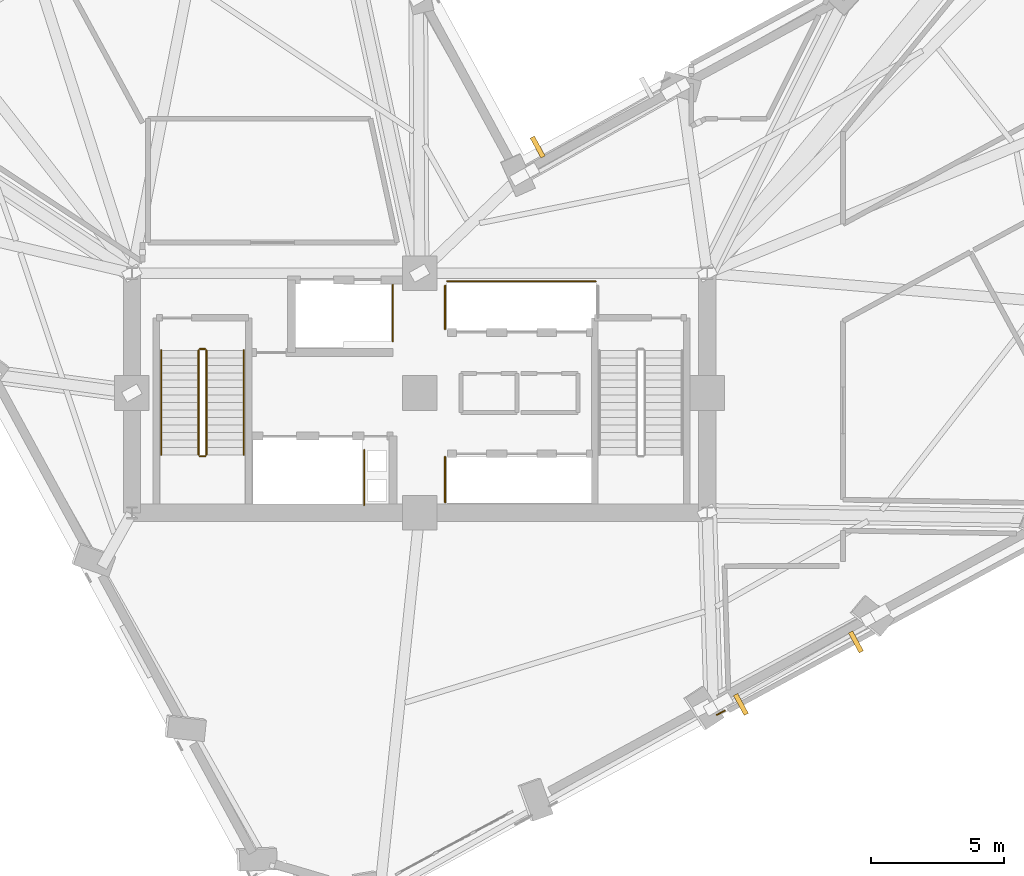
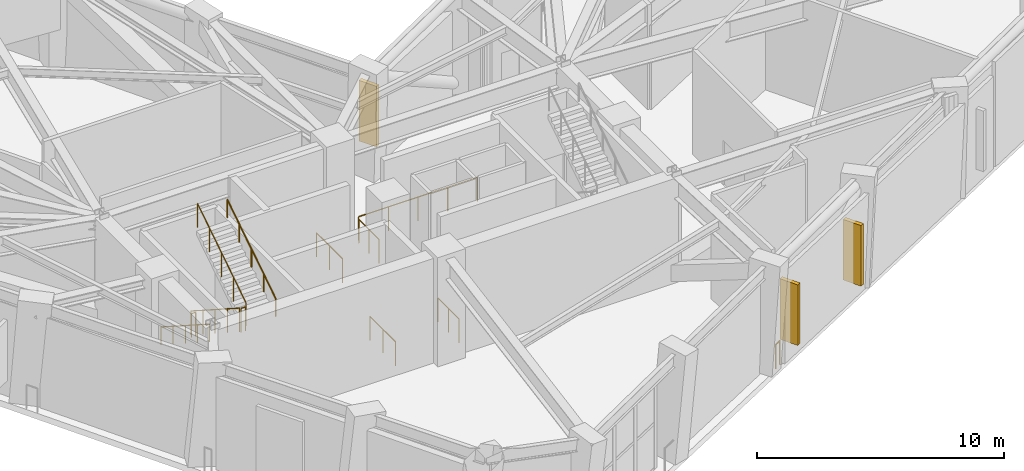
# One storey, part 12 of 15: 12 railings, 3 shading devices.
"""IFC4 building model written with IfcOpenShell, lengths in metres."""

from ifc_helpers import new_model, si_unit, direction, frame, origin, origin_2d, place, context, subcontext, project, spatial, rectangle, circle, extrude, material, layer, layer_set, type_object, element, save


model = new_model("IFC4")

# Units and contexts
model_context = context("Model", 3, precision=1e-05, world=origin(), true_north=direction((0.0, 1.0)))
body_context = subcontext(model_context, "Body", "Model", "MODEL_VIEW")
ifc_project = project(units=[si_unit("LENGTHUNIT", "METRE"), si_unit("AREAUNIT", "SQUARE_METRE"), si_unit("VOLUMEUNIT", "CUBIC_METRE"), si_unit("PLANEANGLEUNIT", "RADIAN"), si_unit("MASSUNIT", "GRAM", prefix="KILO")], contexts=[model_context])

# Site, building, storey
site_placement = place(None, origin())
site = spatial("IfcSite", under=ifc_project, at=site_placement, CompositionType="ELEMENT")
building_placement = place(site_placement, origin())
building = spatial("IfcBuilding", under=site, at=building_placement, Name="Gaonmaruhae Medical Tower", CompositionType="ELEMENT")
storey_placement = place(building_placement, frame((0.0, 0.0, 144.39990234375)))
storey = spatial("IfcBuildingStorey", under=building, at=storey_placement, Name="L34", CompositionType="ELEMENT", Elevation=144.39990234375)

# Railings
ifc_material_1 = material(Name="Stainless steel 316L and laminated safety glass", Category="steel")
ifc_layer = layer(ifc_material_1, 0.080078125)
ifc_layer_set = layer_set([ifc_layer], Name="Stainless steel 316L and laminated safety glass")
railing_type_1 = type_object("IfcRailingType", Name="GD-120 Outdoor Terrace Safety Glass & Steel Balustrade", PredefinedType="BALUSTRADE", material=ifc_layer_set)
railing_1_placement = place(storey_placement, frame((35.961181640625, 0.2177734375, 0.0)))
element("IfcRailing", 1, at=railing_1_placement, inside=storey, type_object=railing_type_1, Name="L34 Perimeter Slab Edge Safety Balustrade 04", PredefinedType="BALUSTRADE", context=body_context, shape_type="SweptSolid", body=[
    extrude(circle(Radius=0.02392578125, at=origin_2d()), frame((0.0, 0.0, 1.17578125), z_axis=(0.878965427128, 0.476885497697, 0.0), x_axis=(-0.476885497697, 0.878965427128, 0.0)), (0.0, 0.0, 1.0), 0.33935546875),
    extrude(circle(Radius=0.02099609375, at=origin_2d()), origin(), (0.0, 0.0, 1.0), 1.15185546875),
    extrude(circle(Radius=0.02099609375, at=origin_2d()), frame((0.29833984375, 0.161865234375, 0.0)), (0.0, 0.0, 1.0), 1.15185546875),
])
ifc_material_2 = material(Name="Stainless steel 304 handrail", Category="steel")
railing_type_2 = type_object("IfcRailingType", Name="HR-092 Continuous Stainless Steel Stair Handrail", PredefinedType="HANDRAIL", material=ifc_material_2)
railing_2_placement = place(storey_placement, frame((15.10009765625, 13.89990234375, 0.18017578125)))
element("IfcRailing", 2, at=railing_2_placement, inside=storey, type_object=railing_type_2, Name="L34 ST-01 stair handrail 1", PredefinedType="HANDRAIL", context=body_context, shape_type="SweptSolid", body=[
    extrude(circle(Radius=0.02392578125, at=origin_2d()), frame((0.0, 0.0, 0.8759765625), z_axis=(0.0, -0.841171666519, 0.540768182723), x_axis=(1.0, 0.0, 0.0)), (0.0, 0.0, 1.0), 4.66015625),
    extrude(circle(Radius=0.02099609375, at=origin_2d()), origin(), (0.0, 0.0, 1.0), 0.851806640625),
    extrude(circle(Radius=0.02099609375, at=origin_2d()), frame((0.0, -0.97998046875, 0.6298828125)), (0.0, 0.0, 1.0), 0.851806640625),
    extrude(circle(Radius=0.02099609375, at=origin_2d()), frame((0.0, -1.9599609375, 1.260009765625)), (0.0, 0.0, 1.0), 0.851806640625),
    extrude(circle(Radius=0.02099609375, at=origin_2d()), frame((0.0, -2.93994140625, 1.89013671875)), (0.0, 0.0, 1.0), 0.851806640625),
    extrude(circle(Radius=0.02099609375, at=origin_2d()), frame((0.0, -3.919921875, 2.52001953125)), (0.0, 0.0, 1.0), 0.851806640625),
])
railing_3_placement = place(storey_placement, frame((18.199951171875, 9.97998046875, 2.880126953125)))
element("IfcRailing", 3, at=railing_3_placement, inside=storey, type_object=railing_type_2, Name="L34 ST-01 stair handrail 2", PredefinedType="HANDRAIL", context=body_context, shape_type="SweptSolid", body=[
    extrude(circle(Radius=0.02392578125, at=origin_2d()), frame((0.0, 0.0, 0.8759765625), z_axis=(0.0, 0.841171666519, 0.540768182723), x_axis=(-1.0, 0.0, 0.0)), (0.0, 0.0, 1.0), 4.66015625),
    extrude(circle(Radius=0.02099609375, at=origin_2d()), origin(), (0.0, 0.0, 1.0), 0.851806640625),
    extrude(circle(Radius=0.02099609375, at=origin_2d()), frame((0.0, 0.97998046875, 0.6298828125)), (0.0, 0.0, 1.0), 0.851806640625),
    extrude(circle(Radius=0.02099609375, at=origin_2d()), frame((0.0, 1.9599609375, 1.260009765625)), (0.0, 0.0, 1.0), 0.851806640625),
    extrude(circle(Radius=0.02099609375, at=origin_2d()), frame((0.0, 2.93994140625, 1.89013671875)), (0.0, 0.0, 1.0), 0.851806640625),
    extrude(circle(Radius=0.02099609375, at=origin_2d()), frame((0.0, 3.919921875, 2.52001953125)), (0.0, 0.0, 1.0), 0.851806640625),
])

# Shading devices
ifc_material_3 = material(Name="Pigmented coral precast concrete C45/55", Category="concrete")
shading_device_type = type_object("IfcShadingDeviceType", Name="SD-FIN1 Tower Vertical Coral Precast Shading Fin", PredefinedType="USERDEFINED", material=ifc_material_3)
for number, where, z_axis, x_axis, name in (
    (4, (41.18115234375, 2.955078125, 0.78271484375), (0.0, 0.0, 1.0), (-0.878817112662, -0.47715876026, 0.0), "L34 Vertical Coral Precast Shading Fin S03"),
    (5, (36.8623046875, 0.610107421875, 0.78271484375), (0.0, 0.0, 1.0), (-0.878817112662, -0.47715876026, 0.0), "L34 Vertical Coral Precast Shading Fin S03B"),
    (6, (29.233154296875, 21.535888671875, 0.58251953125), (0.0, 0.0, 1.0), (0.878817112662, 0.47715876026, 0.0), "L34 Vertical Coral Precast Shading Fin EN03"),
):
    element("IfcShadingDevice", number, at=place(storey_placement, frame(where, z_axis=z_axis, x_axis=x_axis)), inside=storey, type_object=shading_device_type, Name=name, ObjectType="FIN", PredefinedType="USERDEFINED", context=body_context, shape_type="SweptSolid", body=[
        extrude(rectangle(XDim=0.179931640625, YDim=0.85009765625, at=origin_2d()), origin(), (0.0, 0.0, 1.0), 3.0),
    ])

# Railings
ifc_material_4 = material(Name="Stainless steel 304 balustrade", Category="steel")
railing_type_3 = type_object("IfcRailingType", Name="SG-112 Stair Well & Ramp Void Safety Balustrade", PredefinedType="BALUSTRADE", material=ifc_material_4)
railing_4_placement = place(storey_placement, frame((16.5, 13.89990234375, 0.18017578125)))
element("IfcRailing", 7, at=railing_4_placement, inside=storey, type_object=railing_type_3, Name="L34 ST-01 stair guard 1", PredefinedType="BALUSTRADE", context=body_context, shape_type="SweptSolid", body=[
    extrude(circle(Radius=0.02392578125, at=origin_2d()), frame((0.0, 0.0, 1.17578125), z_axis=(0.0, -0.841171666519, 0.540768182723), x_axis=(1.0, 0.0, 0.0)), (0.0, 0.0, 1.0), 4.66015625),
    extrude(circle(Radius=0.02099609375, at=origin_2d()), origin(), (0.0, 0.0, 1.0), 1.15185546875),
    extrude(circle(Radius=0.02099609375, at=origin_2d()), frame((0.0, -0.97998046875, 0.6298828125)), (0.0, 0.0, 1.0), 1.15185546875),
    extrude(circle(Radius=0.02099609375, at=origin_2d()), frame((0.0, -1.9599609375, 1.260009765625)), (0.0, 0.0, 1.0), 1.15185546875),
    extrude(circle(Radius=0.02099609375, at=origin_2d()), frame((0.0, -2.93994140625, 1.89013671875)), (0.0, 0.0, 1.0), 1.15185546875),
    extrude(circle(Radius=0.02099609375, at=origin_2d()), frame((0.0, -3.919921875, 2.52001953125)), (0.0, 0.0, 1.0), 1.15185546875),
])
railing_5_placement = place(storey_placement, frame((16.550048828125, 9.929931640625, 2.7001953125)))
element("IfcRailing", 8, at=railing_5_placement, inside=storey, type_object=railing_type_3, Name="L34 ST-01 stair guard 2", PredefinedType="BALUSTRADE", context=body_context, shape_type="SweptSolid", body=[
    extrude(circle(Radius=0.02392578125, at=origin_2d()), frame((0.0, 0.0, 1.17578125), z_axis=(1.0, 0.0, 0.0), x_axis=(0.0, 1.0, 0.0)), (0.0, 0.0, 1.0), 0.199951171875),
    extrude(circle(Radius=0.02099609375, at=origin_2d()), origin(), (0.0, 0.0, 1.0), 1.15185546875),
    extrude(circle(Radius=0.02099609375, at=origin_2d()), frame((0.199951171875, 0.0, 0.0)), (0.0, 0.0, 1.0), 1.15185546875),
])
railing_6_placement = place(storey_placement, frame((16.800048828125, 9.97998046875, 2.880126953125)))
element("IfcRailing", 9, at=railing_6_placement, inside=storey, type_object=railing_type_3, Name="L34 ST-01 stair guard 3", PredefinedType="BALUSTRADE", context=body_context, shape_type="SweptSolid", body=[
    extrude(circle(Radius=0.02392578125, at=origin_2d()), frame((0.0, 0.0, 1.17578125), z_axis=(0.0, 0.841171666519, 0.540768182723), x_axis=(-1.0, 0.0, 0.0)), (0.0, 0.0, 1.0), 4.66015625),
    extrude(circle(Radius=0.02099609375, at=origin_2d()), origin(), (0.0, 0.0, 1.0), 1.15185546875),
    extrude(circle(Radius=0.02099609375, at=origin_2d()), frame((0.0, 0.97998046875, 0.6298828125)), (0.0, 0.0, 1.0), 1.15185546875),
    extrude(circle(Radius=0.02099609375, at=origin_2d()), frame((0.0, 1.9599609375, 1.260009765625)), (0.0, 0.0, 1.0), 1.15185546875),
    extrude(circle(Radius=0.02099609375, at=origin_2d()), frame((0.0, 2.93994140625, 1.89013671875)), (0.0, 0.0, 1.0), 1.15185546875),
    extrude(circle(Radius=0.02099609375, at=origin_2d()), frame((0.0, 3.919921875, 2.52001953125)), (0.0, 0.0, 1.0), 1.15185546875),
])
railing_7_placement = place(storey_placement, frame((16.550048828125, 13.949951171875, 0.0)))
element("IfcRailing", 10, at=railing_7_placement, inside=storey, type_object=railing_type_3, Name="L34 ST-01 stair guard 4", PredefinedType="BALUSTRADE", context=body_context, shape_type="SweptSolid", body=[
    extrude(circle(Radius=0.02392578125, at=origin_2d()), frame((0.0, 0.0, 1.17578125), z_axis=(1.0, 0.0, 0.0), x_axis=(0.0, 1.0, 0.0)), (0.0, 0.0, 1.0), 0.199951171875),
    extrude(circle(Radius=0.02099609375, at=origin_2d()), origin(), (0.0, 0.0, 1.0), 1.15185546875),
    extrude(circle(Radius=0.02099609375, at=origin_2d()), frame((0.199951171875, 0.0, 0.0)), (0.0, 0.0, 1.0), 1.15185546875),
])
railing_8_placement = place(storey_placement, frame((25.7548828125, 8.195068359375, 0.0)))
element("IfcRailing", 11, at=railing_8_placement, inside=storey, type_object=railing_type_3, Name="L34 Shaft Edge Safety Guard 32", PredefinedType="BALUSTRADE", context=body_context, shape_type="SweptSolid", body=[
    extrude(circle(Radius=0.02392578125, at=origin_2d()), frame((0.0, 0.0, 1.17578125), z_axis=(0.0, 1.0, 0.0), x_axis=(-1.0, 0.0, 0.0)), (0.0, 0.0, 1.0), 1.7099609375),
    extrude(circle(Radius=0.02099609375, at=origin_2d()), origin(), (0.0, 0.0, 1.0), 1.15185546875),
    extrude(circle(Radius=0.02099609375, at=origin_2d()), frame((0.0, 0.85498046875, 0.0)), (0.0, 0.0, 1.0), 1.15185546875),
    extrude(circle(Radius=0.02099609375, at=origin_2d()), frame((0.0, 1.7099609375, 0.0)), (0.0, 0.0, 1.0), 1.15185546875),
])
railing_9_placement = place(storey_placement, frame((22.719970703125, 10.159912109375, 0.0)))
element("IfcRailing", 12, at=railing_9_placement, inside=storey, type_object=railing_type_3, Name="L34 Shaft Edge Safety Guard 33", PredefinedType="BALUSTRADE", context=body_context, shape_type="SweptSolid", body=[
    extrude(circle(Radius=0.02392578125, at=origin_2d()), frame((0.0, 0.0, 1.17578125), z_axis=(0.0, -1.0, 0.0), x_axis=(1.0, 0.0, 0.0)), (0.0, 0.0, 1.0), 2.06494140625),
    extrude(circle(Radius=0.02099609375, at=origin_2d()), origin(), (0.0, 0.0, 1.0), 1.15185546875),
    extrude(circle(Radius=0.02099609375, at=origin_2d()), frame((0.0, -1.032470703125, 0.0)), (0.0, 0.0, 1.0), 1.15185546875),
    extrude(circle(Radius=0.02099609375, at=origin_2d()), frame((0.0, -2.06494140625, 0.0)), (0.0, 0.0, 1.0), 1.15185546875),
])
railing_10_placement = place(storey_placement, frame((23.794921875, 16.35498046875, 0.0)))
element("IfcRailing", 13, at=railing_10_placement, inside=storey, type_object=railing_type_3, Name="L34 Shaft Edge Safety Guard 34", PredefinedType="BALUSTRADE", context=body_context, shape_type="SweptSolid", body=[
    extrude(circle(Radius=0.02392578125, at=origin_2d()), frame((0.0, 0.0, 1.17578125), z_axis=(0.0, -1.0, 0.0), x_axis=(1.0, 0.0, 0.0)), (0.0, 0.0, 1.0), 2.10986328125),
    extrude(circle(Radius=0.02099609375, at=origin_2d()), origin(), (0.0, 0.0, 1.0), 1.15185546875),
    extrude(circle(Radius=0.02099609375, at=origin_2d()), frame((0.0, -1.054931640625, 0.0)), (0.0, 0.0, 1.0), 1.15185546875),
    extrude(circle(Radius=0.02099609375, at=origin_2d()), frame((0.0, -2.10986328125, 0.0)), (0.0, 0.0, 1.0), 1.15185546875),
])
railing_11_placement = place(storey_placement, frame((25.844970703125, 16.4951171875, 0.0)))
element("IfcRailing", 14, at=railing_11_placement, inside=storey, type_object=railing_type_3, Name="L34 Shaft Edge Safety Guard 35", PredefinedType="BALUSTRADE", context=body_context, shape_type="SweptSolid", body=[
    extrude(circle(Radius=0.02392578125, at=origin_2d()), frame((0.0, 0.0, 1.17578125), z_axis=(1.0, 0.0, 0.0), x_axis=(0.0, 1.0, 0.0)), (0.0, 0.0, 1.0), 5.56005859375),
    extrude(circle(Radius=0.02099609375, at=origin_2d()), origin(), (0.0, 0.0, 1.0), 1.15185546875),
    extrude(circle(Radius=0.02099609375, at=origin_2d()), frame((1.39013671875, 0.0, 0.0)), (0.0, 0.0, 1.0), 1.15185546875),
    extrude(circle(Radius=0.02099609375, at=origin_2d()), frame((2.780029296875, 0.0, 0.0)), (0.0, 0.0, 1.0), 1.15185546875),
    extrude(circle(Radius=0.02099609375, at=origin_2d()), frame((4.169921875, 0.0, 0.0)), (0.0, 0.0, 1.0), 1.15185546875),
    extrude(circle(Radius=0.02099609375, at=origin_2d()), frame((5.56005859375, 0.0, 0.0)), (0.0, 0.0, 1.0), 1.15185546875),
])
railing_12_placement = place(storey_placement, frame((25.7548828125, 14.695068359375, 0.0)))
element("IfcRailing", 15, at=railing_12_placement, inside=storey, type_object=railing_type_3, Name="L34 Shaft Edge Safety Guard 37", PredefinedType="BALUSTRADE", context=body_context, shape_type="SweptSolid", body=[
    extrude(circle(Radius=0.02392578125, at=origin_2d()), frame((0.0, 0.0, 1.17578125), z_axis=(0.0, 1.0, 0.0), x_axis=(-1.0, 0.0, 0.0)), (0.0, 0.0, 1.0), 1.635009765625),
    extrude(circle(Radius=0.02099609375, at=origin_2d()), origin(), (0.0, 0.0, 1.0), 1.15185546875),
    extrude(circle(Radius=0.02099609375, at=origin_2d()), frame((0.0, 0.8173828125, 0.0)), (0.0, 0.0, 1.0), 1.15185546875),
    extrude(circle(Radius=0.02099609375, at=origin_2d()), frame((0.0, 1.635009765625, 0.0)), (0.0, 0.0, 1.0), 1.15185546875),
])

save(model, "model.ifc")
